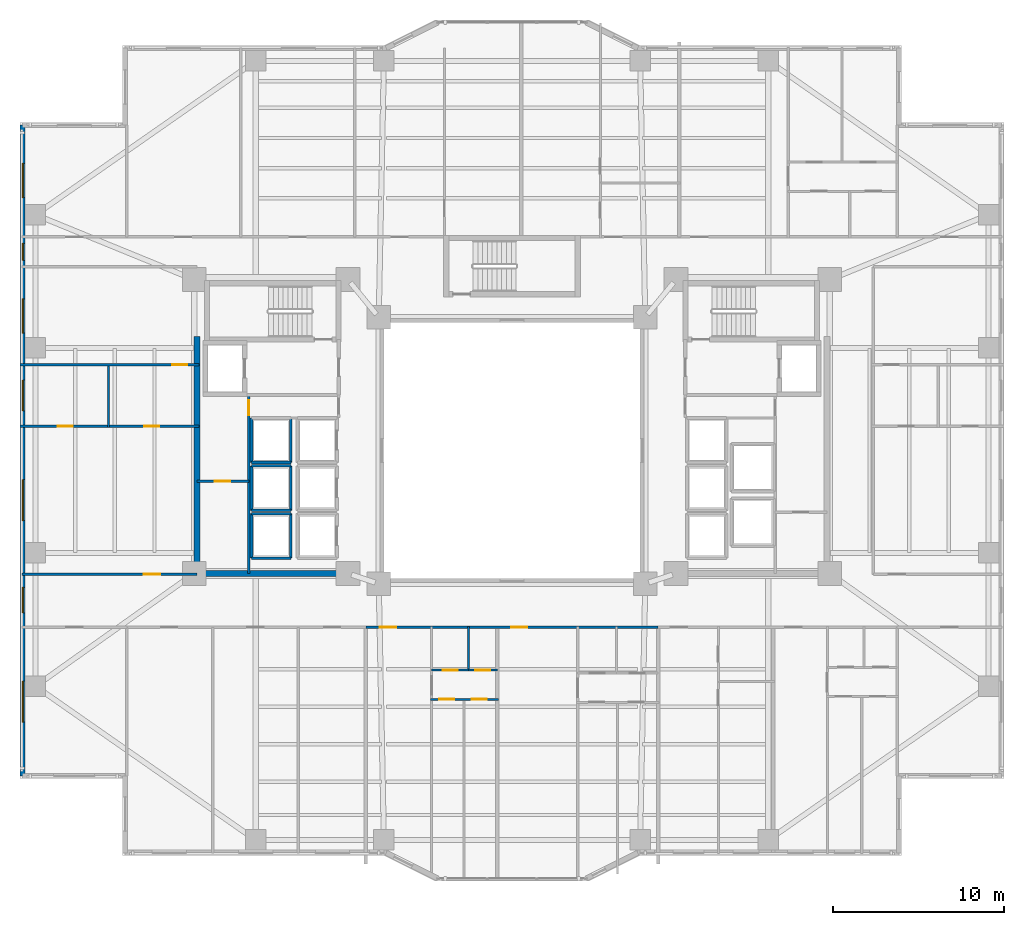
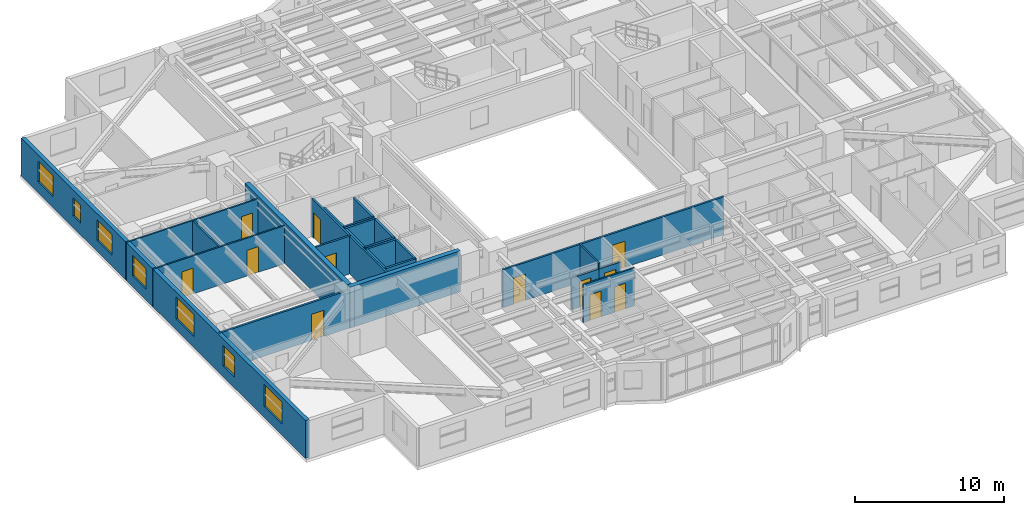
# One storey, part 10 of 21: 25 walls, 12 doors, 7 windows, 19 openings.
"""IFC4 building model written with IfcOpenShell, lengths in metres."""

from ifc_helpers import new_model, si_unit, direction, frame, frame_2d, origin, place, context, subcontext, project, spatial, rectangle, extrude, material, layer, layer_set, type_object, element, fill, save


model = new_model("IFC4")

# Units and contexts
model_context = context("Model", 3, precision=1e-05, world=origin(), true_north=direction((0.0, 1.0)))
body_context = subcontext(model_context, "Body", "Model", "MODEL_VIEW")
ifc_project = project(units=[si_unit("LENGTHUNIT", "METRE"), si_unit("AREAUNIT", "SQUARE_METRE"), si_unit("VOLUMEUNIT", "CUBIC_METRE"), si_unit("PLANEANGLEUNIT", "RADIAN"), si_unit("MASSUNIT", "GRAM", prefix="KILO")], contexts=[model_context])

# Site, building, storey
site_placement = place(None, origin())
site = spatial("IfcSite", under=ifc_project, at=site_placement, CompositionType="ELEMENT")
building_placement = place(site_placement, origin())
building = spatial("IfcBuilding", under=site, at=building_placement, Name="Tarnavaz Court Tower", CompositionType="ELEMENT")
storey_placement = place(building_placement, frame((0.0, 0.0, 47.449951171875)))
storey = spatial("IfcBuildingStorey", under=building, at=storey_placement, Name="L12", CompositionType="ELEMENT", Elevation=47.449951171875)

# Walls
ifc_material_1 = material(Name="Concrete C60/75", Category="concrete")
ifc_layer_1 = layer(ifc_material_1, 0.35009765625)
ifc_layer_set_1 = layer_set([ifc_layer_1], Name="Concrete C60/75")
wall_type_1 = type_object("IfcWallType", Name="WL-CORE-350-C60", PredefinedType="SHEAR", material=ifc_layer_set_1)
wall_1_placement = place(storey_placement, frame((-18.449951171875, -7.375, 0.0), z_axis=(0.0, 0.0, 1.0), x_axis=(0.0, 1.0, 0.0)))
element("IfcWall", 1, at=wall_1_placement, inside=storey, type_object=wall_type_1, Name="L12 West Core Shear Wall 069", PredefinedType="SHEAR", context=body_context, shape_type="SweptSolid", body=[
    extrude(rectangle(XDim=14.050048828125, YDim=0.35009765625, at=frame_2d((7.02490234375, 0.0))), origin(), (0.0, 0.0, 1.0), 3.35009765625),
])
wall_2_placement = place(storey_placement, frame((-18.625, -7.199951171875, 0.0), z_axis=(0.0, 0.0, 1.0), x_axis=(1.0, 0.0, 0.0)))
element("IfcWall", 2, at=wall_2_placement, inside=storey, type_object=wall_type_1, Name="L12 West Core South Shear Wall 070", PredefinedType="SHEAR", context=body_context, shape_type="SweptSolid", body=[
    extrude(rectangle(XDim=8.550048828125, YDim=0.35009765625, at=frame_2d((4.27490234375, 0.0))), origin(), (0.0, 0.0, 1.0), 3.35009765625),
])

# Wall, openings, windows
ifc_material_2 = material(Name="Precast Concrete C40/50", Category="concrete")
ifc_layer_2 = layer(ifc_material_2, 0.300048828125)
ifc_layer_set_2 = layer_set([ifc_layer_2], Name="Precast Concrete C40/50")
wall_type_2 = type_object("IfcWallType", Name="WL-EXT-300", PredefinedType="SOLIDWALL", material=ifc_layer_set_2)
wall_3_placement = place(storey_placement, frame((-28.64990234375, -19.050048828125, 0.0), z_axis=(0.0, 0.0, 1.0), x_axis=(0.0, 1.0, 0.0)))
wall_3 = element("IfcWall", 3, at=wall_3_placement, inside=storey, type_object=wall_type_2, Name="L12 Exterior Terracotta Facade Wall 02", PredefinedType="SOLIDWALL", context=body_context, shape_type="SweptSolid", body=[
    extrude(rectangle(XDim=38.10009765625, YDim=0.300048828125, at=frame_2d((19.050048828125, 0.0))), origin(), (0.0, 0.0, 1.0), 3.10009765625),
])
opening_1_placement = place(wall_3_placement, frame((3.14990234375, 0.0, 0.89990234375)))
opening_1 = element("IfcOpeningElement", 4, at=opening_1_placement, cuts=wall_3, Name="Opening W06", PredefinedType="OPENING", context=body_context, shape_type="SweptSolid", body=[
    extrude(rectangle(XDim=2.39990234375, YDim=1.800048828125, at=frame_2d((1.199951171875, 0.89990234375))), frame((0.0, 0.159912109375, 0.0), z_axis=(0.0, -1.0, 0.0), x_axis=(1.0, 0.0, 0.0)), (0.0, 0.0, 1.0), 0.320068359375),
])
opening_2_placement = place(wall_3_placement, frame((9.54248046875, 0.0, 0.89990234375)))
opening_2 = element("IfcOpeningElement", 5, at=opening_2_placement, cuts=wall_3, Name="Opening W03", PredefinedType="OPENING", context=body_context, shape_type="SweptSolid", body=[
    extrude(rectangle(XDim=1.5, YDim=1.64990234375, at=frame_2d((0.75, 0.824951171875))), frame((0.0, 0.159912109375, 0.0), z_axis=(0.0, -1.0, 0.0), x_axis=(1.0, 0.0, 0.0)), (0.0, 0.0, 1.0), 0.320068359375),
])
opening_3_placement = place(wall_3_placement, frame((14.949951171875, 0.0, 0.89990234375)))
opening_3 = element("IfcOpeningElement", 6, at=opening_3_placement, cuts=wall_3, Name="Opening W06", PredefinedType="OPENING", context=body_context, shape_type="SweptSolid", body=[
    extrude(rectangle(XDim=2.39990234375, YDim=1.800048828125, at=frame_2d((1.199951171875, 0.89990234375))), frame((0.0, 0.159912109375, 0.0), z_axis=(0.0, -1.0, 0.0), x_axis=(1.0, 0.0, 0.0)), (0.0, 0.0, 1.0), 0.320068359375),
])
opening_4_placement = place(wall_3_placement, frame((21.375, 0.0, 0.89990234375)))
opening_4 = element("IfcOpeningElement", 7, at=opening_4_placement, cuts=wall_3, Name="Opening W01", PredefinedType="OPENING", context=body_context, shape_type="SweptSolid", body=[
    extrude(rectangle(XDim=1.800048828125, YDim=1.64990234375, at=frame_2d((0.89990234375, 0.824951171875))), frame((0.0, 0.159912109375, 0.0), z_axis=(0.0, -1.0, 0.0), x_axis=(1.0, 0.0, 0.0)), (0.0, 0.0, 1.0), 0.320068359375),
])
opening_5_placement = place(wall_3_placement, frame((25.925048828125, 0.0, 0.89990234375)))
opening_5 = element("IfcOpeningElement", 8, at=opening_5_placement, cuts=wall_3, Name="Opening W08", PredefinedType="OPENING", context=body_context, shape_type="SweptSolid", body=[
    extrude(rectangle(XDim=2.0, YDim=1.699951171875, at=frame_2d((1.0, 0.85009765625))), frame((0.0, 0.159912109375, 0.0), z_axis=(0.0, -1.0, 0.0), x_axis=(1.0, 0.0, 0.0)), (0.0, 0.0, 1.0), 0.320068359375),
])
opening_6_placement = place(wall_3_placement, frame((30.175048828125, 0.0, 0.949951171875)))
opening_6 = element("IfcOpeningElement", 9, at=opening_6_placement, cuts=wall_3, Name="Opening W14", PredefinedType="OPENING", context=body_context, shape_type="SweptSolid", body=[
    extrude(rectangle(XDim=1.0, YDim=1.5, at=frame_2d((0.5, 0.75))), frame((0.0, 0.159912109375, 0.0), z_axis=(0.0, -1.0, 0.0), x_axis=(1.0, 0.0, 0.0)), (0.0, 0.0, 1.0), 0.320068359375),
])
opening_7_placement = place(wall_3_placement, frame((33.85009765625, 0.0, 0.89990234375)))
opening_7 = element("IfcOpeningElement", 10, at=opening_7_placement, cuts=wall_3, Name="Opening W08", PredefinedType="OPENING", context=body_context, shape_type="SweptSolid", body=[
    extrude(rectangle(XDim=2.0, YDim=1.699951171875, at=frame_2d((1.0, 0.85009765625))), frame((0.0, 0.159912109375, 0.0), z_axis=(0.0, -1.0, 0.0), x_axis=(1.0, 0.0, 0.0)), (0.0, 0.0, 1.0), 0.320068359375),
])
ifc_material_3 = material(Name="Double-Glazed Solar Low-E Glass", Category="glass")
window_type_1 = type_object("IfcWindowType", Name="WN-APT-1000", PartitioningType="SINGLE_PANEL", PredefinedType="WINDOW", material=ifc_material_3)
window_1_placement = place(opening_6_placement, origin())
window_1 = element("IfcWindow", 11, at=window_1_placement, inside=storey, type_object=window_type_1, Name="L12 North-West Corner Corridor Window", OverallHeight=1.5, OverallWidth=1.0, PartitioningType="SINGLE_PANEL", PredefinedType="WINDOW", context=body_context, shape_type="SweptSolid", body=[
    extrude(rectangle(XDim=1.0, YDim=1.5, at=frame_2d((0.5, 0.75))), frame((0.0, 0.030029296875, 0.0), z_axis=(0.0, -1.0, 0.0), x_axis=(1.0, 0.0, 0.0)), (0.0, 0.0, 1.0), 0.06005859375),
])
fill(opening_6, window_1)
window_type_2 = type_object("IfcWindowType", Name="WN-APT-1500", PartitioningType="DOUBLE_PANEL_VERTICAL", PredefinedType="WINDOW", material=ifc_material_3)
window_2_placement = place(opening_2_placement, origin())
window_2 = element("IfcWindow", 12, at=window_2_placement, inside=storey, type_object=window_type_2, Name="L12 South-West Corner Corridor Window", OverallHeight=1.64990234375, OverallWidth=1.5, PartitioningType="SINGLE_PANEL", PredefinedType="WINDOW", context=body_context, shape_type="SweptSolid", body=[
    extrude(rectangle(XDim=1.5, YDim=1.64990234375, at=frame_2d((0.75, 0.824951171875))), frame((0.0, 0.030029296875, 0.0), z_axis=(0.0, -1.0, 0.0), x_axis=(1.0, 0.0, 0.0)), (0.0, 0.0, 1.0), 0.06005859375),
])
fill(opening_2, window_2)
window_type_3 = type_object("IfcWindowType", Name="WN-APT-1800", PartitioningType="DOUBLE_PANEL_VERTICAL", PredefinedType="WINDOW", material=ifc_material_3)
window_3_placement = place(opening_4_placement, origin())
window_3 = element("IfcWindow", 13, at=window_3_placement, inside=storey, type_object=window_type_3, Name="L12 Flat 07 Kitchen Window", OverallHeight=1.64990234375, OverallWidth=1.800048828125, PartitioningType="SINGLE_PANEL", PredefinedType="WINDOW", context=body_context, shape_type="SweptSolid", body=[
    extrude(rectangle(XDim=1.800048828125, YDim=1.64990234375, at=frame_2d((0.89990234375, 0.824951171875))), frame((0.0, 0.030029296875, 0.0), z_axis=(0.0, -1.0, 0.0), x_axis=(1.0, 0.0, 0.0)), (0.0, 0.0, 1.0), 0.06005859375),
])
fill(opening_4, window_3)
window_type_4 = type_object("IfcWindowType", Name="WN-APT-2000", PartitioningType="DOUBLE_PANEL_VERTICAL", PredefinedType="WINDOW", material=ifc_material_3)
window_4_placement = place(opening_5_placement, origin())
window_4 = element("IfcWindow", 14, at=window_4_placement, inside=storey, type_object=window_type_4, Name="L12 Flat 07 Study Room Window", OverallHeight=1.699951171875, OverallWidth=2.0, PartitioningType="SINGLE_PANEL", PredefinedType="WINDOW", context=body_context, shape_type="SweptSolid", body=[
    extrude(rectangle(XDim=2.0, YDim=1.699951171875, at=frame_2d((1.0, 0.85009765625))), frame((0.0, 0.030029296875, 0.0), z_axis=(0.0, -1.0, 0.0), x_axis=(1.0, 0.0, 0.0)), (0.0, 0.0, 1.0), 0.06005859375),
])
fill(opening_5, window_4)
window_5_placement = place(opening_7_placement, origin())
window_5 = element("IfcWindow", 15, at=window_5_placement, inside=storey, type_object=window_type_4, Name="L12 North-West Corner Sunroom Study Window", OverallHeight=1.699951171875, OverallWidth=2.0, PartitioningType="SINGLE_PANEL", PredefinedType="WINDOW", context=body_context, shape_type="SweptSolid", body=[
    extrude(rectangle(XDim=2.0, YDim=1.699951171875, at=frame_2d((1.0, 0.85009765625))), frame((0.0, 0.030029296875, 0.0), z_axis=(0.0, -1.0, 0.0), x_axis=(1.0, 0.0, 0.0)), (0.0, 0.0, 1.0), 0.06005859375),
])
fill(opening_7, window_5)
window_type_5 = type_object("IfcWindowType", Name="WN-APT-2400", PartitioningType="TRIPLE_PANEL_VERTICAL", PredefinedType="WINDOW", material=ifc_material_3)
window_6_placement = place(opening_1_placement, origin())
window_6 = element("IfcWindow", 16, at=window_6_placement, inside=storey, type_object=window_type_5, Name="L12 South-West Corner Reading Room Window", OverallHeight=1.800048828125, OverallWidth=2.39990234375, PartitioningType="SINGLE_PANEL", PredefinedType="WINDOW", context=body_context, shape_type="SweptSolid", body=[
    extrude(rectangle(XDim=2.39990234375, YDim=1.800048828125, at=frame_2d((1.199951171875, 0.89990234375))), frame((0.0, 0.030029296875, 0.0), z_axis=(0.0, -1.0, 0.0), x_axis=(1.0, 0.0, 0.0)), (0.0, 0.0, 1.0), 0.06005859375),
])
fill(opening_1, window_6)
window_7_placement = place(opening_3_placement, origin())
window_7 = element("IfcWindow", 17, at=window_7_placement, inside=storey, type_object=window_type_5, Name="L12 Flat 07 Studio Living and Sleeping Room Window", OverallHeight=1.800048828125, OverallWidth=2.39990234375, PartitioningType="SINGLE_PANEL", PredefinedType="WINDOW", context=body_context, shape_type="SweptSolid", body=[
    extrude(rectangle(XDim=2.39990234375, YDim=1.800048828125, at=frame_2d((1.199951171875, 0.89990234375))), frame((0.0, 0.030029296875, 0.0), z_axis=(0.0, -1.0, 0.0), x_axis=(1.0, 0.0, 0.0)), (0.0, 0.0, 1.0), 0.06005859375),
])
fill(opening_3, window_7)

# Wall, openings, doors
ifc_material_4 = material(Name="Gypsum Fire-Board on Acoustic Metal Stud", Category="masonry")
ifc_layer_3 = layer(ifc_material_4, 0.14990234375)
ifc_layer_set_3 = layer_set([ifc_layer_3], Name="Gypsum Fire-Board on Acoustic Metal Stud")
wall_type_3 = type_object("IfcWallType", Name="WL-FIRE-150", PredefinedType="PARTITIONING", material=ifc_layer_set_3)
wall_4_placement = place(storey_placement, frame((-8.550048828125, -10.35009765625, 0.0), z_axis=(0.0, 0.0, 1.0), x_axis=(1.0, 0.0, 0.0)))
wall_4 = element("IfcWall", 18, at=wall_4_placement, inside=storey, type_object=wall_type_3, Name="L12 South Ring Corridor Wall 085", PredefinedType="PARTITIONING", context=body_context, shape_type="SweptSolid", body=[
    extrude(rectangle(XDim=17.10009765625, YDim=0.14990234375, at=frame_2d((8.550048828125, 0.0))), origin(), (0.0, 0.0, 1.0), 3.10009765625),
])
opening_8_placement = place(wall_4_placement, frame((0.800048828125, 0.0, 0.0)))
opening_8 = element("IfcOpeningElement", 19, at=opening_8_placement, cuts=wall_4, Name="Opening D06", PredefinedType="OPENING", context=body_context, shape_type="SweptSolid", body=[
    extrude(rectangle(XDim=0.9599609375, YDim=2.14990234375, at=frame_2d((0.47998046875, 1.074951171875))), frame((0.0, 0.0849609375, 0.0), z_axis=(0.0, -1.0, 0.0), x_axis=(1.0, 0.0, 0.0)), (0.0, 0.0, 1.0), 0.169921875),
])
opening_9_placement = place(wall_4_placement, frame((8.4951171875, 0.0, 0.0)))
opening_9 = element("IfcOpeningElement", 20, at=opening_9_placement, cuts=wall_4, Name="Opening D06", PredefinedType="OPENING", context=body_context, shape_type="SweptSolid", body=[
    extrude(rectangle(XDim=0.9599609375, YDim=2.14990234375, at=frame_2d((0.47998046875, 1.074951171875))), frame((0.0, 0.0849609375, 0.0), z_axis=(0.0, -1.0, 0.0), x_axis=(1.0, 0.0, 0.0)), (0.0, 0.0, 1.0), 0.169921875),
])
ifc_material_5 = material(Name="Fire-Rated Hardwood Timber Core", Category="wood")
door_type_1 = type_object("IfcDoorType", Name="DR-FD60-950", OperationType="NOTDEFINED", PredefinedType="DOOR", material=ifc_material_5)
door_1_placement = place(opening_8_placement, origin())
door_1 = element("IfcDoor", 21, at=door_1_placement, inside=storey, type_object=door_type_1, Name="L12 Flat 05 Entrance Door", OperationType="SINGLE_SWING_RIGHT", OverallHeight=2.14990234375, OverallWidth=0.9599609375, PredefinedType="DOOR", context=body_context, shape_type="SweptSolid", body=[
    extrude(rectangle(XDim=0.9599609375, YDim=2.14990234375, at=frame_2d((0.47998046875, 1.074951171875))), frame((0.0, 0.02490234375, 0.0), z_axis=(0.0, -1.0, 0.0), x_axis=(1.0, 0.0, 0.0)), (0.0, 0.0, 1.0), 0.050048828125),
])
fill(opening_8, door_1)
door_2_placement = place(opening_9_placement, origin())
door_2 = element("IfcDoor", 22, at=door_2_placement, inside=storey, type_object=door_type_1, Name="L12 Flat 06 Entrance Door", OperationType="SINGLE_SWING_RIGHT", OverallHeight=2.14990234375, OverallWidth=0.9599609375, PredefinedType="DOOR", context=body_context, shape_type="SweptSolid", body=[
    extrude(rectangle(XDim=0.9599609375, YDim=2.14990234375, at=frame_2d((0.47998046875, 1.074951171875))), frame((0.0, 0.02490234375, 0.0), z_axis=(0.0, -1.0, 0.0), x_axis=(1.0, 0.0, 0.0)), (0.0, 0.0, 1.0), 0.050048828125),
])
fill(opening_9, door_2)

# Wall, opening, door
wall_5_placement = place(storey_placement, frame((-28.679931640625, -7.25, 0.0), z_axis=(0.0, 0.0, 1.0), x_axis=(1.0, 0.0, 0.0)))
wall_5 = element("IfcWall", 23, at=wall_5_placement, inside=storey, type_object=wall_type_3, Name="L12 Interior Partition 128", PredefinedType="PARTITIONING", context=body_context, shape_type="SweptSolid", body=[
    extrude(rectangle(XDim=10.22998046875, YDim=0.14990234375, at=frame_2d((5.114990234375, 0.0))), origin(), (0.0, 0.0, 1.0), 3.10009765625),
])
opening_10_placement = place(wall_5_placement, frame((7.1298828125, 0.0, 0.0)))
opening_10 = element("IfcOpeningElement", 24, at=opening_10_placement, cuts=wall_5, Name="Opening D06", PredefinedType="OPENING", context=body_context, shape_type="SweptSolid", body=[
    extrude(rectangle(XDim=0.9599609375, YDim=2.14990234375, at=frame_2d((0.47998046875, 1.074951171875))), frame((0.0, 0.0849609375, 0.0), z_axis=(0.0, -1.0, 0.0), x_axis=(1.0, 0.0, 0.0)), (0.0, 0.0, 1.0), 0.169921875),
])
door_3_placement = place(opening_10_placement, origin())
door_3 = element("IfcDoor", 25, at=door_3_placement, inside=storey, type_object=door_type_1, Name="L12 Flat 07 Entrance Door", OperationType="SINGLE_SWING_RIGHT", OverallHeight=2.14990234375, OverallWidth=0.9599609375, PredefinedType="DOOR", context=body_context, shape_type="SweptSolid", body=[
    extrude(rectangle(XDim=0.9599609375, YDim=2.14990234375, at=frame_2d((0.47998046875, 1.074951171875))), frame((0.0, 0.02490234375, 0.0), z_axis=(0.0, -1.0, 0.0), x_axis=(1.0, 0.0, 0.0)), (0.0, 0.0, 1.0), 0.050048828125),
])
fill(opening_10, door_3)

ifc_material_6 = material(Name="Moisture-Resistant Gypsum Board Partition", Category="masonry")
ifc_layer_4 = layer(ifc_material_6, 0.1201171875)
ifc_layer_set_4 = layer_set([ifc_layer_4], Name="Moisture-Resistant Gypsum Board Partition")
wall_type_4 = type_object("IfcWallType", Name="WL-PART-120", PredefinedType="PARTITIONING", material=ifc_layer_set_4)
wall_6_placement = place(storey_placement, frame((-4.702880859375, -12.860107421875, 0.0), z_axis=(0.0, 0.0, 1.0), x_axis=(1.0, 0.0, 0.0)))
wall_6 = element("IfcWall", 26, at=wall_6_placement, inside=storey, type_object=wall_type_4, Name="L12 Interior Partition 117", PredefinedType="PARTITIONING", context=body_context, shape_type="SweptSolid", body=[
    extrude(rectangle(XDim=2.158935546875, YDim=0.1201171875, at=frame_2d((1.07958984375, 0.0))), origin(), (0.0, 0.0, 1.0), 2.5849609375),
])
opening_11_placement = place(wall_6_placement, frame((0.639892578125, 0.0, 0.0)))
opening_11 = element("IfcOpeningElement", 27, at=opening_11_placement, cuts=wall_6, Name="Opening D14", PredefinedType="OPENING", context=body_context, shape_type="SweptSolid", body=[
    extrude(rectangle(XDim=0.8798828125, YDim=2.10009765625, at=frame_2d((0.43994140625, 1.050048828125))), frame((0.0, 0.070068359375, 0.0), z_axis=(0.0, -1.0, 0.0), x_axis=(1.0, 0.0, 0.0)), (0.0, 0.0, 1.0), 0.14013671875),
])
ifc_material_7 = material(Name="Engineered Oak Timber", Category="wood")
door_type_2 = type_object("IfcDoorType", Name="DR-INT-900", OperationType="NOTDEFINED", PredefinedType="DOOR", material=ifc_material_7)
door_4_placement = place(opening_11_placement, origin())
door_4 = element("IfcDoor", 28, at=door_4_placement, inside=storey, type_object=door_type_2, Name="L12 Flat 05 Kitchen Door", OperationType="SINGLE_SWING_RIGHT", OverallHeight=2.10009765625, OverallWidth=0.8798828125, PredefinedType="DOOR", context=body_context, shape_type="SweptSolid", body=[
    extrude(rectangle(XDim=0.8798828125, YDim=2.10009765625, at=frame_2d((0.43994140625, 1.050048828125))), frame((0.0, 0.02490234375, 0.0), z_axis=(0.0, -1.0, 0.0), x_axis=(1.0, 0.0, 0.0)), (0.0, 0.0, 1.0), 0.050048828125),
])
fill(opening_11, door_4)

wall_7_placement = place(storey_placement, frame((-2.5439453125, -12.860107421875, 0.0), z_axis=(0.0, 0.0, 1.0), x_axis=(1.0, 0.0, 0.0)))
wall_7 = element("IfcWall", 29, at=wall_7_placement, inside=storey, type_object=wall_type_4, Name="L12 Interior Partition 118", PredefinedType="PARTITIONING", context=body_context, shape_type="SweptSolid", body=[
    extrude(rectangle(XDim=1.68896484375, YDim=0.1201171875, at=frame_2d((0.844482421875, 0.0))), origin(), (0.0, 0.0, 1.0), 2.5849609375),
])
opening_12_placement = place(wall_7_placement, frame((0.405029296875, 0.0, 0.0)))
opening_12 = element("IfcOpeningElement", 30, at=opening_12_placement, cuts=wall_7, Name="Opening D14", PredefinedType="OPENING", context=body_context, shape_type="SweptSolid", body=[
    extrude(rectangle(XDim=0.8798828125, YDim=2.10009765625, at=frame_2d((0.43994140625, 1.050048828125))), frame((0.0, 0.070068359375, 0.0), z_axis=(0.0, -1.0, 0.0), x_axis=(1.0, 0.0, 0.0)), (0.0, 0.0, 1.0), 0.14013671875),
])
door_5_placement = place(opening_12_placement, origin())
door_5 = element("IfcDoor", 31, at=door_5_placement, inside=storey, type_object=door_type_2, Name="L12 Flat 05 Bathroom Door", OperationType="SINGLE_SWING_LEFT", OverallHeight=2.10009765625, OverallWidth=0.8798828125, PredefinedType="DOOR", context=body_context, shape_type="SweptSolid", body=[
    extrude(rectangle(XDim=0.8798828125, YDim=2.10009765625, at=frame_2d((0.43994140625, 1.050048828125))), frame((0.0, 0.02490234375, 0.0), z_axis=(0.0, -1.0, 0.0), x_axis=(1.0, 0.0, 0.0)), (0.0, 0.0, 1.0), 0.050048828125),
])
fill(opening_12, door_5)

# Wall, openings, doors
wall_8_placement = place(storey_placement, frame((-4.762939453125, -14.570068359375, 0.0), z_axis=(0.0, 0.0, 1.0), x_axis=(1.0, 0.0, 0.0)))
wall_8 = element("IfcWall", 32, at=wall_8_placement, inside=storey, type_object=wall_type_4, Name="L12 Interior Partition 119", PredefinedType="PARTITIONING", context=body_context, shape_type="SweptSolid", body=[
    extrude(rectangle(XDim=3.968017578125, YDim=0.1201171875, at=frame_2d((1.98388671875, 0.0))), origin(), (0.0, 0.0, 1.0), 3.10009765625),
])
opening_13_placement = place(wall_8_placement, frame((0.507080078125, 0.0, 0.0)))
opening_13 = element("IfcOpeningElement", 33, at=opening_13_placement, cuts=wall_8, Name="Opening D14", PredefinedType="OPENING", context=body_context, shape_type="SweptSolid", body=[
    extrude(rectangle(XDim=0.8798828125, YDim=2.10009765625, at=frame_2d((0.43994140625, 1.050048828125))), frame((0.0, 0.070068359375, 0.0), z_axis=(0.0, -1.0, 0.0), x_axis=(1.0, 0.0, 0.0)), (0.0, 0.0, 1.0), 0.14013671875),
])
opening_14_placement = place(wall_8_placement, frame((2.40087890625, 0.0, 0.0)))
opening_14 = element("IfcOpeningElement", 34, at=opening_14_placement, cuts=wall_8, Name="Opening D14", PredefinedType="OPENING", context=body_context, shape_type="SweptSolid", body=[
    extrude(rectangle(XDim=0.8798828125, YDim=2.10009765625, at=frame_2d((0.43994140625, 1.050048828125))), frame((0.0, 0.070068359375, 0.0), z_axis=(0.0, -1.0, 0.0), x_axis=(1.0, 0.0, 0.0)), (0.0, 0.0, 1.0), 0.14013671875),
])
door_6_placement = place(opening_13_placement, origin())
door_6 = element("IfcDoor", 35, at=door_6_placement, inside=storey, type_object=door_type_2, Name="L12 Flat 05 Bedroom 1 Door", OperationType="SINGLE_SWING_RIGHT", OverallHeight=2.10009765625, OverallWidth=0.8798828125, PredefinedType="DOOR", context=body_context, shape_type="SweptSolid", body=[
    extrude(rectangle(XDim=0.8798828125, YDim=2.10009765625, at=frame_2d((0.43994140625, 1.050048828125))), frame((0.0, 0.02490234375, 0.0), z_axis=(0.0, -1.0, 0.0), x_axis=(1.0, 0.0, 0.0)), (0.0, 0.0, 1.0), 0.050048828125),
])
fill(opening_13, door_6)
door_7_placement = place(opening_14_placement, origin())
door_7 = element("IfcDoor", 36, at=door_7_placement, inside=storey, type_object=door_type_2, Name="L12 Flat 05 Bedroom 2 Door", OperationType="SINGLE_SWING_LEFT", OverallHeight=2.10009765625, OverallWidth=0.8798828125, PredefinedType="DOOR", context=body_context, shape_type="SweptSolid", body=[
    extrude(rectangle(XDim=0.8798828125, YDim=2.10009765625, at=frame_2d((0.43994140625, 1.050048828125))), frame((0.0, 0.02490234375, 0.0), z_axis=(0.0, -1.0, 0.0), x_axis=(1.0, 0.0, 0.0)), (0.0, 0.0, 1.0), 0.050048828125),
])
fill(opening_14, door_7)

# Wall
wall_9_placement = place(storey_placement, frame((-2.5439453125, -12.919921875, 0.0), z_axis=(0.0, 0.0, 1.0), x_axis=(0.0, 1.0, 0.0)))
element("IfcWall", 37, at=wall_9_placement, inside=storey, type_object=wall_type_4, Name="L12 Interior Partition 120", PredefinedType="PARTITIONING", context=body_context, shape_type="SweptSolid", body=[
    extrude(rectangle(XDim=2.6298828125, YDim=0.1201171875, at=frame_2d((1.31494140625, 0.0))), origin(), (0.0, 0.0, 1.0), 3.10009765625),
])

# Wall, openings, doors
wall_10_placement = place(storey_placement, frame((-28.800048828125, 1.419921875, 0.0), z_axis=(0.0, 0.0, 1.0), x_axis=(1.0, 0.0, 0.0)))
wall_10 = element("IfcWall", 38, at=wall_10_placement, inside=storey, type_object=wall_type_4, Name="L12 Interior Partition 140", PredefinedType="PARTITIONING", context=body_context, shape_type="SweptSolid", body=[
    extrude(rectangle(XDim=10.469970703125, YDim=0.1201171875, at=frame_2d((5.23486328125, 0.0))), origin(), (0.0, 0.0, 1.0), 3.10009765625),
])
opening_15_placement = place(wall_10_placement, frame((2.212890625, 0.0, 0.0)))
opening_15 = element("IfcOpeningElement", 39, at=opening_15_placement, cuts=wall_10, Name="Opening D14", PredefinedType="OPENING", context=body_context, shape_type="SweptSolid", body=[
    extrude(rectangle(XDim=0.8798828125, YDim=2.10009765625, at=frame_2d((0.43994140625, 1.050048828125))), frame((0.0, 0.070068359375, 0.0), z_axis=(0.0, -1.0, 0.0), x_axis=(1.0, 0.0, 0.0)), (0.0, 0.0, 1.0), 0.14013671875),
])
opening_16_placement = place(wall_10_placement, frame((7.278076171875, 0.0, 0.0)))
opening_16 = element("IfcOpeningElement", 40, at=opening_16_placement, cuts=wall_10, Name="Opening D14", PredefinedType="OPENING", context=body_context, shape_type="SweptSolid", body=[
    extrude(rectangle(XDim=0.8798828125, YDim=2.10009765625, at=frame_2d((0.43994140625, 1.050048828125))), frame((0.0, 0.070068359375, 0.0), z_axis=(0.0, -1.0, 0.0), x_axis=(1.0, 0.0, 0.0)), (0.0, 0.0, 1.0), 0.14013671875),
])
door_8_placement = place(opening_15_placement, origin())
door_8 = element("IfcDoor", 41, at=door_8_placement, inside=storey, type_object=door_type_2, Name="L12 Flat 07 Kitchen Door", OperationType="SINGLE_SWING_LEFT", OverallHeight=2.10009765625, OverallWidth=0.8798828125, PredefinedType="DOOR", context=body_context, shape_type="SweptSolid", body=[
    extrude(rectangle(XDim=0.8798828125, YDim=2.10009765625, at=frame_2d((0.43994140625, 1.050048828125))), frame((0.0, 0.02490234375, 0.0), z_axis=(0.0, -1.0, 0.0), x_axis=(1.0, 0.0, 0.0)), (0.0, 0.0, 1.0), 0.050048828125),
])
fill(opening_15, door_8)
door_9_placement = place(opening_16_placement, origin())
door_9 = element("IfcDoor", 42, at=door_9_placement, inside=storey, type_object=door_type_2, Name="L12 Flat 07 Bathroom Door", OperationType="SINGLE_SWING_RIGHT", OverallHeight=2.10009765625, OverallWidth=0.8798828125, PredefinedType="DOOR", context=body_context, shape_type="SweptSolid", body=[
    extrude(rectangle(XDim=0.8798828125, YDim=2.10009765625, at=frame_2d((0.43994140625, 1.050048828125))), frame((0.0, 0.02490234375, 0.0), z_axis=(0.0, -1.0, 0.0), x_axis=(1.0, 0.0, 0.0)), (0.0, 0.0, 1.0), 0.050048828125),
])
fill(opening_16, door_9)

# Wall, opening, door
wall_11_placement = place(storey_placement, frame((-28.800048828125, 5.02001953125, 0.0), z_axis=(0.0, 0.0, 1.0), x_axis=(1.0, 0.0, 0.0)))
wall_11 = element("IfcWall", 43, at=wall_11_placement, inside=storey, type_object=wall_type_4, Name="L12 Interior Partition 141", PredefinedType="PARTITIONING", context=body_context, shape_type="SweptSolid", body=[
    extrude(rectangle(XDim=10.469970703125, YDim=0.1201171875, at=frame_2d((5.23486328125, 0.0))), origin(), (0.0, 0.0, 1.0), 3.10009765625),
])
opening_17_placement = place(wall_11_placement, frame((8.89990234375, 0.0, 0.0)))
opening_17 = element("IfcOpeningElement", 44, at=opening_17_placement, cuts=wall_11, Name="Opening D14", PredefinedType="OPENING", context=body_context, shape_type="SweptSolid", body=[
    extrude(rectangle(XDim=0.8798828125, YDim=2.10009765625, at=frame_2d((0.43994140625, 1.050048828125))), frame((0.0, 0.070068359375, 0.0), z_axis=(0.0, -1.0, 0.0), x_axis=(1.0, 0.0, 0.0)), (0.0, 0.0, 1.0), 0.14013671875),
])
door_10_placement = place(opening_17_placement, origin())
door_10 = element("IfcDoor", 45, at=door_10_placement, inside=storey, type_object=door_type_2, Name="L12 Flat 07 Study Door", OperationType="SINGLE_SWING_LEFT", OverallHeight=2.10009765625, OverallWidth=0.8798828125, PredefinedType="DOOR", context=body_context, shape_type="SweptSolid", body=[
    extrude(rectangle(XDim=0.8798828125, YDim=2.10009765625, at=frame_2d((0.43994140625, 1.050048828125))), frame((0.0, 0.02490234375, 0.0), z_axis=(0.0, -1.0, 0.0), x_axis=(1.0, 0.0, 0.0)), (0.0, 0.0, 1.0), 0.050048828125),
])
fill(opening_17, door_10)

# Wall
wall_12_placement = place(storey_placement, frame((-23.614990234375, 1.360107421875, 0.0), z_axis=(0.0, 0.0, 1.0), x_axis=(0.0, 1.0, 0.0)))
element("IfcWall", 46, at=wall_12_placement, inside=storey, type_object=wall_type_4, Name="L12 Interior Partition 142", PredefinedType="PARTITIONING", context=body_context, shape_type="SweptSolid", body=[
    extrude(rectangle(XDim=3.579833984375, YDim=0.1201171875, at=frame_2d((1.7900390625, 0.0))), origin(), (0.0, 0.0, 1.0), 3.10009765625),
])

# Wall, opening, door
ifc_material_8 = material(Name="Gypsum Plasterboard Acoustic Partition", Category="masonry")
ifc_layer_5 = layer(ifc_material_8, 0.139892578125)
ifc_layer_set_5 = layer_set([ifc_layer_5], Name="Gypsum Plasterboard Acoustic Partition")
wall_type_5 = type_object("IfcWallType", Name="WL-PART-150", PredefinedType="PARTITIONING", material=ifc_layer_set_5)
wall_13_placement = place(storey_placement, frame((-15.39990234375, -7.199951171875, 0.0), z_axis=(0.0, 0.0, 1.0), x_axis=(0.0, 1.0, 0.0)))
wall_13 = element("IfcWall", 47, at=wall_13_placement, inside=storey, type_object=wall_type_5, Name="L12 Interior Partition 075", PredefinedType="PARTITIONING", context=body_context, shape_type="SweptSolid", body=[
    extrude(rectangle(XDim=10.449951171875, YDim=0.139892578125, at=frame_2d((5.22509765625, 0.0))), origin(), (0.0, 0.0, 1.0), 3.10009765625),
])
opening_18_placement = place(wall_13_placement, frame((9.25, 0.0, 0.0)))
opening_18 = element("IfcOpeningElement", 48, at=opening_18_placement, cuts=wall_13, Name="Opening D09", PredefinedType="OPENING", context=body_context, shape_type="SweptSolid", body=[
    extrude(rectangle(XDim=0.89990234375, YDim=2.080078125, at=frame_2d((0.449951171875, 1.0400390625))), frame((0.0, 0.079833984375, 0.0), z_axis=(0.0, -1.0, 0.0), x_axis=(1.0, 0.0, 0.0)), (0.0, 0.0, 1.0), 0.159912109375),
])
door_type_3 = type_object("IfcDoorType", Name="DR-FD30-900", OperationType="NOTDEFINED", PredefinedType="DOOR", material=ifc_material_5)
door_11_placement = place(opening_18_placement, origin())
door_11 = element("IfcDoor", 49, at=door_11_placement, inside=storey, type_object=door_type_3, Name="L12 West Telecom Room Door", OperationType="SINGLE_SWING_RIGHT", OverallHeight=2.080078125, OverallWidth=0.89990234375, PredefinedType="DOOR", context=body_context, shape_type="SweptSolid", body=[
    extrude(rectangle(XDim=0.89990234375, YDim=2.080078125, at=frame_2d((0.449951171875, 1.0400390625))), frame((0.0, 0.02490234375, 0.0), z_axis=(0.0, -1.0, 0.0), x_axis=(1.0, 0.0, 0.0)), (0.0, 0.0, 1.0), 0.050048828125),
])
fill(opening_18, door_11)

wall_14_placement = place(storey_placement, frame((-18.449951171875, -1.800048828125, 0.0), z_axis=(0.0, 0.0, 1.0), x_axis=(1.0, 0.0, 0.0)))
wall_14 = element("IfcWall", 50, at=wall_14_placement, inside=storey, type_object=wall_type_5, Name="L12 Interior Partition 076", PredefinedType="PARTITIONING", context=body_context, shape_type="SweptSolid", body=[
    extrude(rectangle(XDim=3.050048828125, YDim=0.139892578125, at=frame_2d((1.52490234375, 0.0))), origin(), (0.0, 0.0, 1.0), 3.10009765625),
])
opening_19_placement = place(wall_14_placement, frame((1.050048828125, 0.0, 0.0)))
opening_19 = element("IfcOpeningElement", 51, at=opening_19_placement, cuts=wall_14, Name="Opening D09", PredefinedType="OPENING", context=body_context, shape_type="SweptSolid", body=[
    extrude(rectangle(XDim=0.89990234375, YDim=2.080078125, at=frame_2d((0.449951171875, 1.0400390625))), frame((0.0, 0.079833984375, 0.0), z_axis=(0.0, -1.0, 0.0), x_axis=(1.0, 0.0, 0.0)), (0.0, 0.0, 1.0), 0.159912109375),
])
door_12_placement = place(opening_19_placement, origin())
door_12 = element("IfcDoor", 52, at=door_12_placement, inside=storey, type_object=door_type_3, Name="L12 West Electrical Room Door", OperationType="SINGLE_SWING_LEFT", OverallHeight=2.080078125, OverallWidth=0.89990234375, PredefinedType="DOOR", context=body_context, shape_type="SweptSolid", body=[
    extrude(rectangle(XDim=0.89990234375, YDim=2.080078125, at=frame_2d((0.449951171875, 1.0400390625))), frame((0.0, 0.02490234375, 0.0), z_axis=(0.0, -1.0, 0.0), x_axis=(1.0, 0.0, 0.0)), (0.0, 0.0, 1.0), 0.050048828125),
])
fill(opening_19, door_12)

# Walls
ifc_material_9 = material(Name="Autoclaved Aerated Concrete Blockwork", Category="masonry")
ifc_layer_6 = layer(ifc_material_9, 0.159912109375)
ifc_layer_set_6 = layer_set([ifc_layer_6], Name="Autoclaved Aerated Concrete Blockwork")
wall_type_6 = type_object("IfcWallType", Name="WL-SHAFT-150", PredefinedType="SOLIDWALL", material=ifc_layer_set_6)
for number, where, z_axis, x_axis, name in (
    (53, (-15.25, -6.300048828125, 0.0), (0.0, 0.0, 1.0), (0.0, 1.0, 0.0), "L12 Lift PL-H1 Shaft Wall 033"),
    (54, (-12.949951171875, -6.300048828125, 0.0), (0.0, 0.0, 1.0), (0.0, 1.0, 0.0), "L12 Lift PL-H1 Shaft Wall 034"),
):
    element("IfcWall", number, at=place(storey_placement, frame(where, z_axis=z_axis, x_axis=x_axis)), inside=storey, type_object=wall_type_6, Name=name, PredefinedType="SOLIDWALL", context=body_context, shape_type="SweptSolid", body=[
        extrude(rectangle(XDim=2.60009765625, YDim=0.159912109375, at=frame_2d((1.300048828125, 0.0))), origin(), (0.0, 0.0, 1.0), 3.10009765625),
    ])
for number, where, z_axis, x_axis, name in (
    (55, (-15.25, -6.300048828125, 0.0), (0.0, 0.0, 1.0), (1.0, 0.0, 0.0), "L12 Lift PL-H1 Shaft Wall 035"),
    (56, (-15.25, -3.699951171875, 0.0), (0.0, 0.0, 1.0), (1.0, 0.0, 0.0), "L12 Lift PL-H1 Shaft Wall 036"),
):
    element("IfcWall", number, at=place(storey_placement, frame(where, z_axis=z_axis, x_axis=x_axis)), inside=storey, type_object=wall_type_6, Name=name, PredefinedType="SOLIDWALL", context=body_context, shape_type="SweptSolid", body=[
        extrude(rectangle(XDim=2.300048828125, YDim=0.159912109375, at=frame_2d((1.14990234375, 0.0))), origin(), (0.0, 0.0, 1.0), 3.10009765625),
    ])
for number, where, z_axis, x_axis, name in (
    (57, (-15.25, -3.5, 0.0), (0.0, 0.0, 1.0), (0.0, 1.0, 0.0), "L12 Lift PL-H2 Shaft Wall 037"),
    (58, (-12.949951171875, -3.5, 0.0), (0.0, 0.0, 1.0), (0.0, 1.0, 0.0), "L12 Lift PL-H2 Shaft Wall 038"),
):
    element("IfcWall", number, at=place(storey_placement, frame(where, z_axis=z_axis, x_axis=x_axis)), inside=storey, type_object=wall_type_6, Name=name, PredefinedType="SOLIDWALL", context=body_context, shape_type="SweptSolid", body=[
        extrude(rectangle(XDim=2.60009765625, YDim=0.159912109375, at=frame_2d((1.300048828125, 0.0))), origin(), (0.0, 0.0, 1.0), 3.10009765625),
    ])
for number, where, z_axis, x_axis, name in (
    (59, (-15.25, -3.5, 0.0), (0.0, 0.0, 1.0), (1.0, 0.0, 0.0), "L12 Lift PL-H2 Shaft Wall 039"),
    (60, (-15.25, -0.89990234375, 0.0), (0.0, 0.0, 1.0), (1.0, 0.0, 0.0), "L12 Lift PL-H2 Shaft Wall 040"),
):
    element("IfcWall", number, at=place(storey_placement, frame(where, z_axis=z_axis, x_axis=x_axis)), inside=storey, type_object=wall_type_6, Name=name, PredefinedType="SOLIDWALL", context=body_context, shape_type="SweptSolid", body=[
        extrude(rectangle(XDim=2.300048828125, YDim=0.159912109375, at=frame_2d((1.14990234375, 0.0))), origin(), (0.0, 0.0, 1.0), 3.10009765625),
    ])
for number, where, z_axis, x_axis, name in (
    (61, (-15.25, -0.699951171875, 0.0), (0.0, 0.0, 1.0), (0.0, 1.0, 0.0), "L12 Lift PL-H3 Shaft Wall 041"),
    (62, (-12.949951171875, -0.699951171875, 0.0), (0.0, 0.0, 1.0), (0.0, 1.0, 0.0), "L12 Lift PL-H3 Shaft Wall 042"),
):
    element("IfcWall", number, at=place(storey_placement, frame(where, z_axis=z_axis, x_axis=x_axis)), inside=storey, type_object=wall_type_6, Name=name, PredefinedType="SOLIDWALL", context=body_context, shape_type="SweptSolid", body=[
        extrude(rectangle(XDim=2.599853515625, YDim=0.159912109375, at=frame_2d((1.2998046875, 0.0))), origin(), (0.0, 0.0, 1.0), 3.10009765625),
    ])
wall_15_placement = place(storey_placement, frame((-15.25, -0.699951171875, 0.0), z_axis=(0.0, 0.0, 1.0), x_axis=(1.0, 0.0, 0.0)))
element("IfcWall", 63, at=wall_15_placement, inside=storey, type_object=wall_type_6, Name="L12 Lift PL-H3 Shaft Wall 043", PredefinedType="SOLIDWALL", context=body_context, shape_type="SweptSolid", body=[
    extrude(rectangle(XDim=2.300048828125, YDim=0.159912109375, at=frame_2d((1.14990234375, 0.0))), origin(), (0.0, 0.0, 1.0), 3.10009765625),
])

save(model, "model.ifc")
